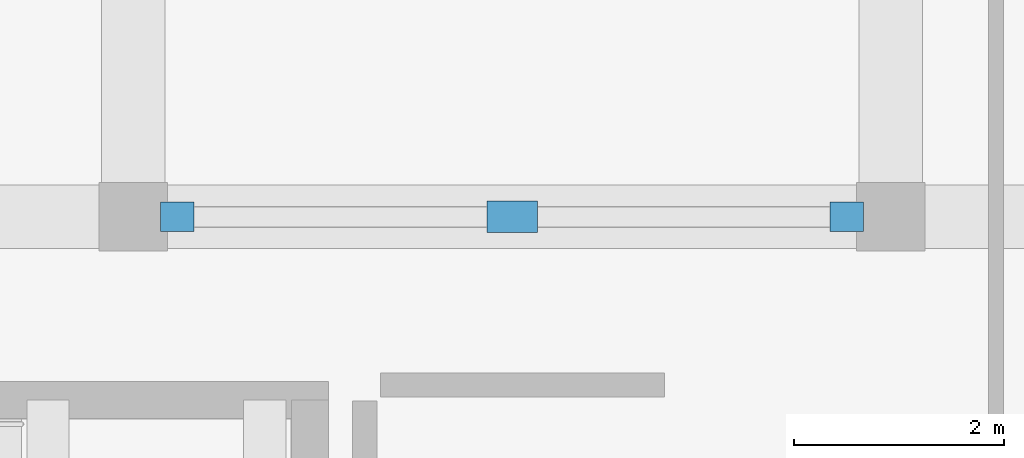
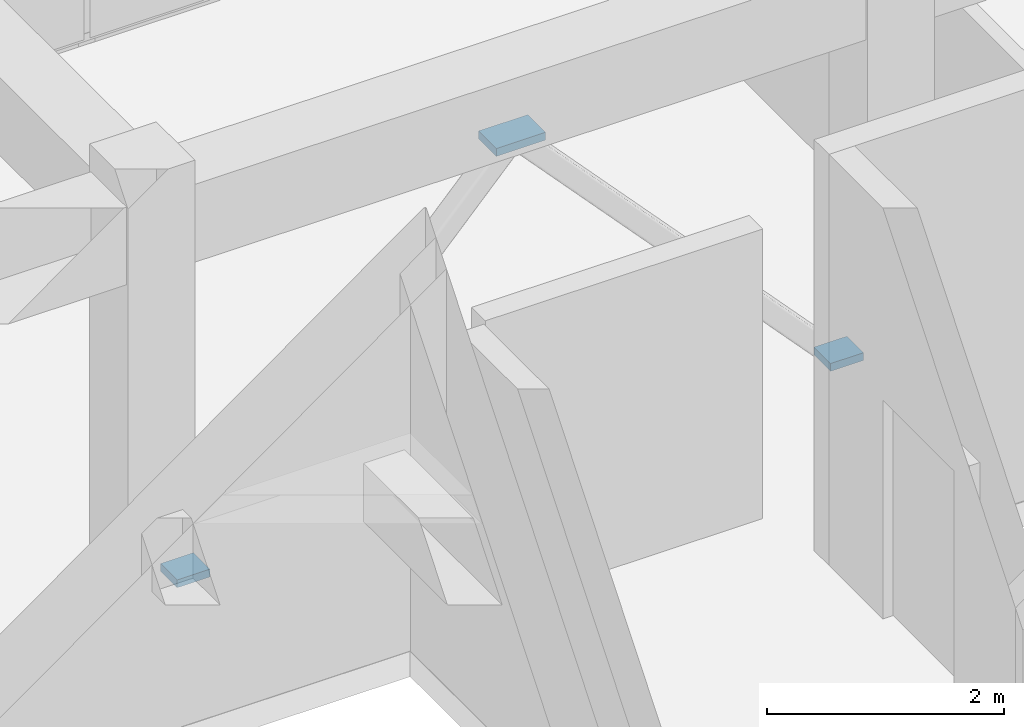
# One storey, part 49 of 56: 3 discrete accessories.
"""IFC4 building model written with IfcOpenShell, lengths in metres."""

from ifc_helpers import new_model, si_unit, direction, frame, origin, origin_2d, place, context, subcontext, project, spatial, rectangle, extrude, material, type_object, element, save


model = new_model("IFC4")

# Units and contexts
model_context = context("Model", 3, precision=1e-05, world=origin(), true_north=direction((0.0, 1.0)))
body_context = subcontext(model_context, "Body", "Model", "MODEL_VIEW")
ifc_project = project(units=[si_unit("LENGTHUNIT", "METRE"), si_unit("AREAUNIT", "SQUARE_METRE"), si_unit("VOLUMEUNIT", "CUBIC_METRE"), si_unit("PLANEANGLEUNIT", "RADIAN"), si_unit("MASSUNIT", "GRAM", prefix="KILO")], contexts=[model_context])

# Site, building, storey
site_placement = place(None, origin())
site = spatial("IfcSite", under=ifc_project, at=site_placement, CompositionType="ELEMENT")
building_placement = place(site_placement, origin())
building = spatial("IfcBuilding", under=site, at=building_placement, Name="Kazehaya Institute of Natural Sciences", CompositionType="ELEMENT")
storey_placement = place(building_placement, frame((0.0, 0.0, 28.800048828125)))
storey = spatial("IfcBuildingStorey", under=building, at=storey_placement, Name="L06", CompositionType="ELEMENT", Elevation=28.800048828125)

# Discrete accessories
ifc_material = material(Name="Structural steel SN490B", Category="steel")
discrete_accessory_type = type_object("IfcDiscreteAccessoryType", Name="ACC-STL-CAP", PredefinedType="BRACKET", material=ifc_material)
for number, where, z_axis, x_axis, name in (
    (1, (69.419921875, 28.39990234375, 0.010009765625), (0.0, 0.0, 1.0), (1.0, 0.0, 0.0), "L06 brace base gusset end plate 13"),
    (2, (75.780029296875, 28.39990234375, 0.010009765625), (0.0, 0.0, 1.0), (1.0, 0.0, 0.0), "L06 brace base gusset end plate 14"),
):
    element("IfcDiscreteAccessory", number, at=place(storey_placement, frame(where, z_axis=z_axis, x_axis=x_axis)), inside=storey, type_object=discrete_accessory_type, Name=name, PredefinedType="BRACKET", context=body_context, shape_type="SweptSolid", body=[
        extrude(rectangle(XDim=0.320068359375, YDim=0.280029296875, at=origin_2d()), origin(), (0.0, 0.0, 1.0), 0.080078125),
    ])
discrete_accessory_placement = place(storey_placement, frame((72.60009765625, 28.39990234375, 3.369873046875), z_axis=(0.0, 0.0, 1.0), x_axis=(1.0, 0.0, 0.0)))
element("IfcDiscreteAccessory", 3, at=discrete_accessory_placement, inside=storey, type_object=discrete_accessory_type, Name="L06 chevron brace apex gusset plate", PredefinedType="BRACKET", context=body_context, shape_type="SweptSolid", body=[
    extrude(rectangle(XDim=0.47998046875, YDim=0.300048828125, at=origin_2d()), origin(), (0.0, 0.0, 1.0), 0.080078125),
])

save(model, "model.ifc")
